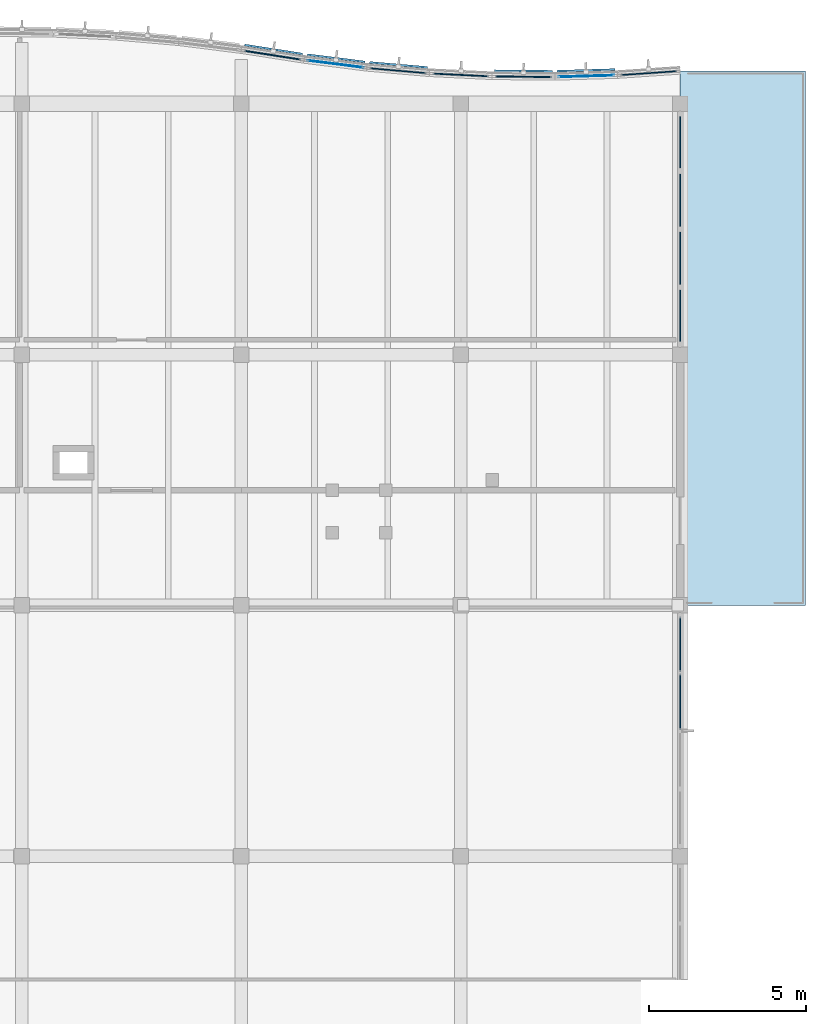
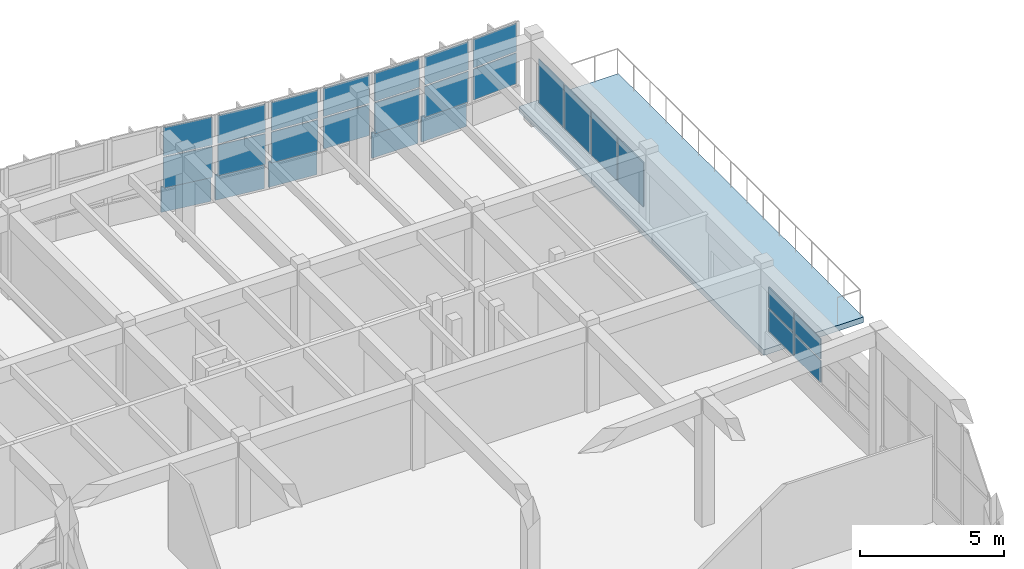
# One storey, part 55 of 89: 27 plates, 1 slab, 9 elements without a shape of their own.
"""IFC4 building model written with IfcOpenShell, lengths in metres."""

from ifc_helpers import new_model, si_unit, direction, frame, origin, origin_2d, place, context, subcontext, project, spatial, polyline, rectangle, outline, extrude, material, layer, layer_set, type_object, element, aggregate, save


model = new_model("IFC4")

# Units and contexts
model_context = context("Model", 3, precision=1e-05, world=origin(), true_north=direction((0.0, 1.0)))
body_context = subcontext(model_context, "Body", "Model", "MODEL_VIEW")
ifc_project = project(units=[si_unit("LENGTHUNIT", "METRE"), si_unit("AREAUNIT", "SQUARE_METRE"), si_unit("VOLUMEUNIT", "CUBIC_METRE"), si_unit("PLANEANGLEUNIT", "RADIAN"), si_unit("MASSUNIT", "GRAM", prefix="KILO")], contexts=[model_context])

# Site, building, storey
site_placement = place(None, origin())
site = spatial("IfcSite", under=ifc_project, at=site_placement, CompositionType="ELEMENT")
building_placement = place(site_placement, origin())
building = spatial("IfcBuilding", under=site, at=building_placement, Name="Tonlespit Floodbar School", CompositionType="ELEMENT")
storey_placement = place(building_placement, frame((0.0, 0.0, 4.5)))
storey = spatial("IfcBuildingStorey", under=building, at=storey_placement, Name="L01", CompositionType="ELEMENT", Elevation=4.5)

# Curtain wall, plates
ifc_material_1 = material(Name="Anodised Aluminium", Category="aluminium")
ifc_layer_1 = layer(ifc_material_1, 0.159912109375)
ifc_layer_set_1 = layer_set([ifc_layer_1], Name="Anodised Aluminium")
curtain_wall_type_1 = type_object("IfcCurtainWallType", Name="CurtainWall_1950x2700", PredefinedType="NOTDEFINED", material=ifc_layer_set_1)
curtain_wall_1_placement = place(storey_placement, origin())
curtain_wall_1 = element("IfcCurtainWall", 1, at=curtain_wall_1_placement, inside=storey, type_object=curtain_wall_type_1, Name="L01 unitised curtain wall 0401", PredefinedType="NOTDEFINED")
ifc_material_2 = material(Name="Laminated Low-E Glass", Category="glass")
ifc_layer_2 = layer(ifc_material_2, 0.028076171875)
ifc_layer_set_2 = layer_set([ifc_layer_2], Name="Laminated Low-E Glass")
plate_type_1 = type_object("IfcPlateType", Name="CW_Panel_Glaz_28", PredefinedType="CURTAIN_PANEL", material=ifc_layer_set_2)
plate_1_placement = place(storey_placement, frame((165.0, 121.268310546875, 1.01513671875), z_axis=(0.0, 0.0, 1.0), x_axis=(0.992155002499, -0.125013803299, 0.0)))
plate_1 = element("IfcPlate", 2, at=plate_1_placement, type_object=plate_type_1, Name="CW-04 panel 1.1", PredefinedType="CURTAIN_PANEL", context=body_context, shape_type="SweptSolid", body=[
    extrude(rectangle(XDim=1.805908203125, YDim=0.028076171875, at=origin_2d()), origin(), (0.0, 0.0, 1.0), 1.306396484375),
])
plate_2_placement = place(storey_placement, frame((165.0, 121.268310546875, 2.38671875), z_axis=(0.0, 0.0, 1.0), x_axis=(0.992155002499, -0.125013803299, 0.0)))
plate_2 = element("IfcPlate", 3, at=plate_2_placement, type_object=plate_type_1, Name="CW-04 panel 1.2", PredefinedType="CURTAIN_PANEL", context=body_context, shape_type="SweptSolid", body=[
    extrude(rectangle(XDim=1.805908203125, YDim=0.028076171875, at=origin_2d()), origin(), (0.0, 0.0, 1.0), 1.198486328125),
])
aggregate(curtain_wall_1, [plate_1, plate_2])

ifc_layer_3 = layer(ifc_material_1, 0.159912109375)
ifc_layer_set_3 = layer_set([ifc_layer_3], Name="Anodised Aluminium")
curtain_wall_type_2 = type_object("IfcCurtainWallType", Name="CurtainWall_1900x2700", PredefinedType="NOTDEFINED", material=ifc_layer_set_3)
curtain_wall_2_placement = place(storey_placement, origin())
curtain_wall_2 = element("IfcCurtainWall", 4, at=curtain_wall_2_placement, inside=storey, type_object=curtain_wall_type_2, Name="L01 unitised curtain wall 0405", PredefinedType="NOTDEFINED")
plate_3_placement = place(storey_placement, frame((173.0, 120.8818359375, 1.01513671875), z_axis=(0.0, 0.0, 1.0), x_axis=(0.999585477883, 0.028790144226, 0.0)))
plate_3 = element("IfcPlate", 5, at=plate_3_placement, type_object=plate_type_1, Name="CW-05 panel 1.1", PredefinedType="CURTAIN_PANEL", context=body_context, shape_type="SweptSolid", body=[
    extrude(rectangle(XDim=1.790771484375, YDim=0.028076171875, at=origin_2d()), origin(), (0.0, 0.0, 1.0), 1.306396484375),
])
plate_4_placement = place(storey_placement, frame((173.0, 120.8818359375, 2.38671875), z_axis=(0.0, 0.0, 1.0), x_axis=(0.999585477883, 0.028790144226, 0.0)))
plate_4 = element("IfcPlate", 6, at=plate_4_placement, type_object=plate_type_1, Name="CW-05 panel 1.2", PredefinedType="CURTAIN_PANEL", context=body_context, shape_type="SweptSolid", body=[
    extrude(rectangle(XDim=1.790771484375, YDim=0.028076171875, at=origin_2d()), origin(), (0.0, 0.0, 1.0), 1.198486328125),
])
aggregate(curtain_wall_2, [plate_3, plate_4])

curtain_wall_3_placement = place(storey_placement, origin())
curtain_wall_3 = element("IfcCurtainWall", 7, at=curtain_wall_3_placement, inside=storey, type_object=curtain_wall_type_1, Name="L01 unitised curtain wall 0402", PredefinedType="NOTDEFINED")
ifc_layer_4 = layer(ifc_material_2, 0.031982421875)
ifc_layer_set_4 = layer_set([ifc_layer_4], Name="Laminated Low-E Glass")
plate_type_2 = type_object("IfcPlateType", Name="CW_Panel_Glaz_32", PredefinedType="CURTAIN_PANEL", material=ifc_layer_set_4)
plate_5_placement = place(storey_placement, frame((167.0, 121.055419921875, 1.01513671875), z_axis=(0.0, 0.0, 1.0), x_axis=(0.996249148412, -0.086531117454, 0.0)))
plate_5 = element("IfcPlate", 8, at=plate_5_placement, type_object=plate_type_2, Name="CW-04 panel 1.1", PredefinedType="CURTAIN_PANEL", context=body_context, shape_type="SweptSolid", body=[
    extrude(rectangle(XDim=1.797607421875, YDim=0.031982421875, at=origin_2d()), origin(), (0.0, 0.0, 1.0), 1.306396484375),
])
plate_6_placement = place(storey_placement, frame((167.0, 121.055419921875, 2.38671875), z_axis=(0.0, 0.0, 1.0), x_axis=(0.996249148412, -0.086531117454, 0.0)))
plate_6 = element("IfcPlate", 9, at=plate_6_placement, type_object=plate_type_2, Name="CW-04 panel 1.2", PredefinedType="CURTAIN_PANEL", context=body_context, shape_type="SweptSolid", body=[
    extrude(rectangle(XDim=1.797607421875, YDim=0.031982421875, at=origin_2d()), origin(), (0.0, 0.0, 1.0), 1.198486328125),
])
aggregate(curtain_wall_3, [plate_5, plate_6])

curtain_wall_4_placement = place(storey_placement, origin())
curtain_wall_4 = element("IfcCurtainWall", 10, at=curtain_wall_4_placement, inside=storey, type_object=curtain_wall_type_2, Name="L01 unitised curtain wall 0406", PredefinedType="NOTDEFINED")
plate_7_placement = place(storey_placement, frame((175.0, 120.978271484375, 1.01513671875), z_axis=(0.0, 0.0, 1.0), x_axis=(0.99773010165, 0.067339767311, 0.0)))
plate_7 = element("IfcPlate", 11, at=plate_7_placement, type_object=plate_type_2, Name="CW-05 panel 1.1", PredefinedType="CURTAIN_PANEL", context=body_context, shape_type="SweptSolid", body=[
    extrude(rectangle(XDim=1.794677734375, YDim=0.031982421875, at=origin_2d()), origin(), (0.0, 0.0, 1.0), 1.306396484375),
])
plate_8_placement = place(storey_placement, frame((175.0, 120.978271484375, 2.38671875), z_axis=(0.0, 0.0, 1.0), x_axis=(0.99773010165, 0.067339767311, 0.0)))
plate_8 = element("IfcPlate", 12, at=plate_8_placement, type_object=plate_type_2, Name="CW-05 panel 1.2", PredefinedType="CURTAIN_PANEL", context=body_context, shape_type="SweptSolid", body=[
    extrude(rectangle(XDim=1.794677734375, YDim=0.031982421875, at=origin_2d()), origin(), (0.0, 0.0, 1.0), 1.198486328125),
])
aggregate(curtain_wall_4, [plate_7, plate_8])

curtain_wall_5_placement = place(storey_placement, origin())
curtain_wall_5 = element("IfcCurtainWall", 13, at=curtain_wall_5_placement, inside=storey, type_object=curtain_wall_type_2, Name="L01 unitised curtain wall 0403", PredefinedType="NOTDEFINED")
ifc_layer_5 = layer(ifc_material_2, 0.035888671875)
ifc_layer_set_5 = layer_set([ifc_layer_5], Name="Laminated Low-E Glass")
plate_type_3 = type_object("IfcPlateType", Name="CW_Panel_Glaz_36", PredefinedType="CURTAIN_PANEL", material=ifc_layer_set_5)
plate_9_placement = place(storey_placement, frame((169.0, 120.92041015625, 1.01513671875), z_axis=(0.0, 0.0, 1.0), x_axis=(0.998841500616, -0.048121270216, 0.0)))
plate_9 = element("IfcPlate", 14, at=plate_9_placement, type_object=plate_type_3, Name="CW-05 panel 1.1", PredefinedType="CURTAIN_PANEL", context=body_context, shape_type="SweptSolid", body=[
    extrude(rectangle(XDim=1.792236328125, YDim=0.035888671875, at=origin_2d()), origin(), (0.0, 0.0, 1.0), 1.306396484375),
])
plate_10_placement = place(storey_placement, frame((169.0, 120.92041015625, 2.38671875), z_axis=(0.0, 0.0, 1.0), x_axis=(0.998841500616, -0.048121270216, 0.0)))
plate_10 = element("IfcPlate", 15, at=plate_10_placement, type_object=plate_type_3, Name="CW-05 panel 1.2", PredefinedType="CURTAIN_PANEL", context=body_context, shape_type="SweptSolid", body=[
    extrude(rectangle(XDim=1.792236328125, YDim=0.035888671875, at=origin_2d()), origin(), (0.0, 0.0, 1.0), 1.198486328125),
])
aggregate(curtain_wall_5, [plate_9, plate_10])

ifc_layer_6 = layer(ifc_material_1, 0.159912109375)
ifc_layer_set_6 = layer_set([ifc_layer_6], Name="Anodised Aluminium")
curtain_wall_type_3 = type_object("IfcCurtainWallType", Name="CurtainWall_7400x2000", PredefinedType="NOTDEFINED", material=ifc_layer_set_6)
curtain_wall_6_placement = place(storey_placement, origin())
curtain_wall_6 = element("IfcCurtainWall", 16, at=curtain_wall_6_placement, inside=storey, type_object=curtain_wall_type_3, Name="L01 unitised curtain wall 0407", PredefinedType="NOTDEFINED")
plate_11_placement = place(storey_placement, frame((176.0, 118.766357421875, 1.01513671875), z_axis=(0.0, 0.0, 1.0), x_axis=(0.0, -1.0, 0.0)))
plate_11 = element("IfcPlate", 17, at=plate_11_placement, type_object=plate_type_3, Name="CW-60 panel 1.1", PredefinedType="CURTAIN_PANEL", context=body_context, shape_type="SweptSolid", body=[
    extrude(rectangle(XDim=1.757568359375, YDim=0.035888671875, at=origin_2d()), origin(), (0.0, 0.0, 1.0), 1.867919921875),
])
plate_12_placement = place(storey_placement, frame((176.0, 116.927490234375, 1.01513671875), z_axis=(0.0, 0.0, 1.0), x_axis=(0.0, -1.0, 0.0)))
plate_12 = element("IfcPlate", 18, at=plate_12_placement, type_object=plate_type_3, Name="CW-60 panel 2.1", PredefinedType="CURTAIN_PANEL", context=body_context, shape_type="SweptSolid", body=[
    extrude(rectangle(XDim=1.7900390625, YDim=0.035888671875, at=origin_2d()), origin(), (0.0, 0.0, 1.0), 1.867919921875),
])
plate_13_placement = place(storey_placement, frame((176.0, 115.072509765625, 1.01513671875), z_axis=(0.0, 0.0, 1.0), x_axis=(0.0, -1.0, 0.0)))
plate_13 = element("IfcPlate", 19, at=plate_13_placement, type_object=plate_type_3, Name="CW-60 panel 3.1", PredefinedType="CURTAIN_PANEL", context=body_context, shape_type="SweptSolid", body=[
    extrude(rectangle(XDim=1.7900390625, YDim=0.035888671875, at=origin_2d()), origin(), (0.0, 0.0, 1.0), 1.867919921875),
])
plate_14_placement = place(storey_placement, frame((176.0, 113.233642578125, 1.01513671875), z_axis=(0.0, 0.0, 1.0), x_axis=(0.0, -1.0, 0.0)))
plate_14 = element("IfcPlate", 20, at=plate_14_placement, type_object=plate_type_3, Name="CW-60 panel 4.1", PredefinedType="CURTAIN_PANEL", context=body_context, shape_type="SweptSolid", body=[
    extrude(rectangle(XDim=1.757568359375, YDim=0.035888671875, at=origin_2d()), origin(), (0.0, 0.0, 1.0), 1.867919921875),
])
aggregate(curtain_wall_6, [plate_11, plate_12, plate_13, plate_14])

curtain_wall_7_placement = place(storey_placement, origin())
curtain_wall_7 = element("IfcCurtainWall", 21, at=curtain_wall_7_placement, inside=storey, type_object=curtain_wall_type_3, Name="L01 unitised curtain wall 0411", PredefinedType="NOTDEFINED")
plate_15_placement = place(storey_placement, frame((176.0, 102.766357421875, 1.01513671875), z_axis=(0.0, 0.0, 1.0), x_axis=(0.0, -1.0, 0.0)))
plate_15 = element("IfcPlate", 22, at=plate_15_placement, type_object=plate_type_3, Name="CW-60 panel 1.1", PredefinedType="CURTAIN_PANEL", context=body_context, shape_type="SweptSolid", body=[
    extrude(rectangle(XDim=1.757568359375, YDim=0.035888671875, at=origin_2d()), origin(), (0.0, 0.0, 1.0), 0.9423828125),
])
plate_16_placement = place(storey_placement, frame((176.0, 102.766357421875, 2.0224609375), z_axis=(0.0, 0.0, 1.0), x_axis=(0.0, -1.0, 0.0)))
plate_16 = element("IfcPlate", 23, at=plate_16_placement, type_object=plate_type_3, Name="CW-60 panel 1.2", PredefinedType="CURTAIN_PANEL", context=body_context, shape_type="SweptSolid", body=[
    extrude(rectangle(XDim=1.757568359375, YDim=0.035888671875, at=origin_2d()), origin(), (0.0, 0.0, 1.0), 0.862548828125),
])
plate_17_placement = place(storey_placement, frame((176.0, 100.927490234375, 1.01513671875), z_axis=(0.0, 0.0, 1.0), x_axis=(0.0, -1.0, 0.0)))
plate_17 = element("IfcPlate", 24, at=plate_17_placement, type_object=plate_type_3, Name="CW-60 panel 2.1", PredefinedType="CURTAIN_PANEL", context=body_context, shape_type="SweptSolid", body=[
    extrude(rectangle(XDim=1.7900390625, YDim=0.035888671875, at=origin_2d()), origin(), (0.0, 0.0, 1.0), 0.9423828125),
])
plate_18_placement = place(storey_placement, frame((176.0, 100.927490234375, 2.0224609375), z_axis=(0.0, 0.0, 1.0), x_axis=(0.0, -1.0, 0.0)))
plate_18 = element("IfcPlate", 25, at=plate_18_placement, type_object=plate_type_3, Name="CW-60 panel 2.2", PredefinedType="CURTAIN_PANEL", context=body_context, shape_type="SweptSolid", body=[
    extrude(rectangle(XDim=1.7900390625, YDim=0.035888671875, at=origin_2d()), origin(), (0.0, 0.0, 1.0), 0.862548828125),
])
aggregate(curtain_wall_7, [plate_15, plate_16, plate_17, plate_18])

curtain_wall_8_placement = place(storey_placement, origin())
curtain_wall_8 = element("IfcCurtainWall", 26, at=curtain_wall_8_placement, inside=storey, type_object=curtain_wall_type_1, Name="L01 unitised curtain wall 0400", PredefinedType="NOTDEFINED")
ifc_layer_7 = layer(ifc_material_2, 0.0419921875)
ifc_layer_set_7 = layer_set([ifc_layer_7], Name="Laminated Low-E Glass")
plate_type_4 = type_object("IfcPlateType", Name="CW_Panel_Glaz_42", PredefinedType="CURTAIN_PANEL", material=ifc_layer_set_7)
plate_19_placement = place(storey_placement, frame((163.0, 121.550048828125, 1.01513671875), z_axis=(0.0, 0.0, 1.0), x_axis=(0.988102576465, -0.153796288585, 0.0)))
plate_19 = element("IfcPlate", 27, at=plate_19_placement, type_object=plate_type_4, Name="CW-04 panel 1.1", PredefinedType="CURTAIN_PANEL", context=body_context, shape_type="SweptSolid", body=[
    extrude(rectangle(XDim=1.814208984375, YDim=0.0419921875, at=origin_2d()), origin(), (0.0, 0.0, 1.0), 1.306396484375),
])
plate_20_placement = place(storey_placement, frame((163.0, 121.550048828125, 2.38671875), z_axis=(0.0, 0.0, 1.0), x_axis=(0.988102576465, -0.153796288585, 0.0)))
plate_20 = element("IfcPlate", 28, at=plate_20_placement, type_object=plate_type_4, Name="CW-04 panel 1.2", PredefinedType="CURTAIN_PANEL", context=body_context, shape_type="SweptSolid", body=[
    extrude(rectangle(XDim=1.814208984375, YDim=0.0419921875, at=origin_2d()), origin(), (0.0, 0.0, 1.0), 1.198486328125),
])
aggregate(curtain_wall_8, [plate_19, plate_20])

curtain_wall_9_placement = place(storey_placement, origin())
curtain_wall_9 = element("IfcCurtainWall", 29, at=curtain_wall_9_placement, inside=storey, type_object=curtain_wall_type_2, Name="L01 unitised curtain wall 0404", PredefinedType="NOTDEFINED")
plate_21_placement = place(storey_placement, frame((171.0, 120.862548828125, 1.01513671875), z_axis=(0.0, 0.0, 1.0), x_axis=(0.999954083024, -0.009582893292, 0.0)))
plate_21 = element("IfcPlate", 30, at=plate_21_placement, type_object=plate_type_4, Name="CW-05 panel 1.1", PredefinedType="CURTAIN_PANEL", context=body_context, shape_type="SweptSolid", body=[
    extrude(rectangle(XDim=1.7900390625, YDim=0.0419921875, at=origin_2d()), origin(), (0.0, 0.0, 1.0), 1.306396484375),
])
plate_22_placement = place(storey_placement, frame((171.0, 120.862548828125, 2.38671875), z_axis=(0.0, 0.0, 1.0), x_axis=(0.999954083024, -0.009582893292, 0.0)))
plate_22 = element("IfcPlate", 31, at=plate_22_placement, type_object=plate_type_4, Name="CW-05 panel 1.2", PredefinedType="CURTAIN_PANEL", context=body_context, shape_type="SweptSolid", body=[
    extrude(rectangle(XDim=1.7900390625, YDim=0.0419921875, at=origin_2d()), origin(), (0.0, 0.0, 1.0), 1.198486328125),
])
aggregate(curtain_wall_9, [plate_21, plate_22])

# Plates
ifc_material_3 = material(Name="White Architectural Aluminium", Category="aluminium")
ifc_layer_8 = layer(ifc_material_3, 0.06494140625)
ifc_layer_set_8 = layer_set([ifc_layer_8], Name="White Architectural Aluminium")
plate_type_5 = type_object("IfcPlateType", Name="FacadeRibbon_White_65", PredefinedType="SHEET", material=ifc_layer_set_8)
plate_23_placement = place(storey_placement, frame((163.028076171875, 121.729736328125, -0.1201171875), z_axis=(0.0, 0.0, 1.0), x_axis=(0.988094768361, -0.153846445322, 0.0)))
element("IfcPlate", 32, at=plate_23_placement, inside=storey, type_object=plate_type_5, Name="L01 flowing white street spandrel ribbon 0650", PredefinedType="SHEET", context=body_context, shape_type="SweptSolid", body=[
    extrude(rectangle(XDim=1.864013671875, YDim=0.06494140625, at=origin_2d()), origin(), (0.0, 0.0, 1.0), 1.070068359375),
])
plate_24_placement = place(storey_placement, frame((165.022705078125, 121.448974609375, -0.1201171875), z_axis=(0.0, 0.0, 1.0), x_axis=(0.99215533612, -0.125011155539, 0.0)))
element("IfcPlate", 33, at=plate_24_placement, inside=storey, type_object=plate_type_5, Name="L01 flowing white street spandrel ribbon 0651", PredefinedType="SHEET", context=body_context, shape_type="SweptSolid", body=[
    extrude(rectangle(XDim=1.855712890625, YDim=0.06494140625, at=origin_2d()), origin(), (0.0, 0.0, 1.0), 1.070068359375),
])
plate_25_placement = place(storey_placement, frame((167.015869140625, 121.23681640625, -0.1201171875), z_axis=(0.0, 0.0, 1.0), x_axis=(0.996245486492, -0.086573267488, 0.0)))
element("IfcPlate", 34, at=plate_25_placement, inside=storey, type_object=plate_type_5, Name="L01 flowing white street spandrel ribbon 0652", PredefinedType="SHEET", context=body_context, shape_type="SweptSolid", body=[
    extrude(rectangle(XDim=1.847412109375, YDim=0.06494140625, at=origin_2d()), origin(), (0.0, 0.0, 1.0), 1.070068359375),
])
plate_26_placement = place(storey_placement, frame((171.001708984375, 121.044677734375, -0.1201171875), z_axis=(0.0, 0.0, 1.0), x_axis=(0.999953926969, -0.009599163462, 0.0)))
element("IfcPlate", 35, at=plate_26_placement, inside=storey, type_object=plate_type_5, Name="L01 flowing white street spandrel ribbon 0654", PredefinedType="SHEET", context=body_context, shape_type="SweptSolid", body=[
    extrude(rectangle(XDim=1.840087890625, YDim=0.06494140625, at=origin_2d()), origin(), (0.0, 0.0, 1.0), 1.070068359375),
])
plate_27_placement = place(storey_placement, frame((172.994873046875, 121.063720703125, -0.1201171875), z_axis=(0.0, 0.0, 1.0), x_axis=(0.999584110869, 0.02883756748, 0.0)))
element("IfcPlate", 36, at=plate_27_placement, inside=storey, type_object=plate_type_5, Name="L01 flowing white street spandrel ribbon 0655", PredefinedType="SHEET", context=body_context, shape_type="SweptSolid", body=[
    extrude(rectangle(XDim=1.8408203125, YDim=0.06494140625, at=origin_2d()), origin(), (0.0, 0.0, 1.0), 1.070068359375),
])

# Slab
ifc_material_4 = material(Name="CLT C24", Category="wood")
ifc_layer_9 = layer(ifc_material_4, 0.243896484375)
ifc_layer_set_9 = layer_set([ifc_layer_9], Name="CLT C24")
slab_type = type_object("IfcSlabType", Name="Slab_Terrace_CLT_244", PredefinedType="FLOOR", material=ifc_layer_set_9)
slab_placement = place(storey_placement, frame((0.0, 0.0, -0.243896484375)))
element("IfcSlab", 37, at=slab_placement, inside=storey, type_object=slab_type, Name="L01 V4 L01 east step terrace", PredefinedType="FLOOR", context=body_context, shape_type="SweptSolid", body=[
    extrude(outline(polyline([(176.0, 104.0), (180.0, 104.0), (180.0, 121.045654296875), (176.0, 121.045654296875), (176.0, 104.0)])), origin(), (0.0, 0.0, 1.0), 0.243896484375),
])

save(model, "model.ifc")
